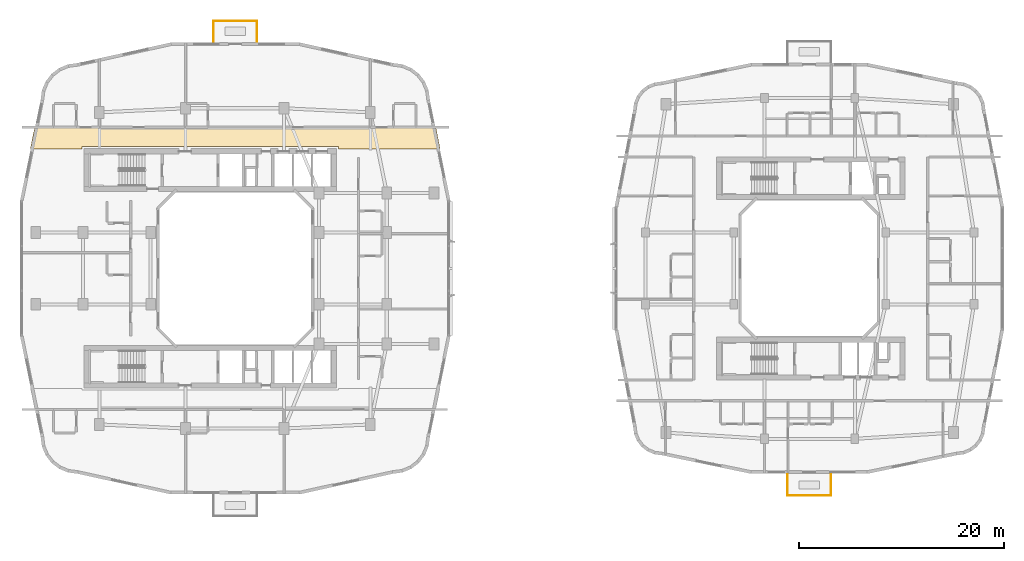
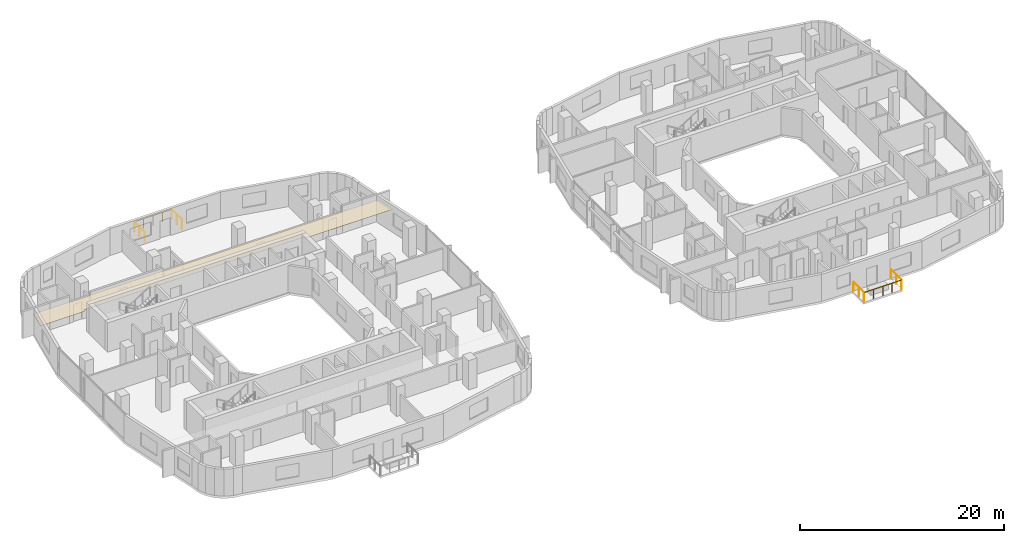
# One storey, part 21 of 22: 6 railings, 1 covering.
"""IFC4 building model written with IfcOpenShell, lengths in metres."""

import ifcopenshell
import ifcopenshell.guid

model = None  # the IFC model being written
_history = None  # IfcOwnerHistory: only IFC2X3 demands one
_inside = {}  # id of a spatial element -> (the spatial element, [elements in it])
_under = {}  # id of a project, library or spatial element -> (it, [spatial elements below it])
_declared = {}  # id of a project -> (the project, [libraries it declares])
_typed = {}  # id of a type object -> (the type object, [elements of that type])
_made_of = {}  # id of a material, layer set ... -> (it, [elements and type objects made of it])


def new_model(schema):
    """Start an empty IFC model of exactly this schema.

    Asked for "IFC4X3", IfcOpenShell would pick the latest addendum, in which some entities
    have other attributes; the version numbers below select the first issue.
    IFC2X3 requires an IfcOwnerHistory on every rooted entity: one is made here for all.
    """
    global model, _history
    if schema == "IFC4X3":
        model = ifcopenshell.file(schema_version=(4, 3, 0, 0))
    else:
        model = ifcopenshell.file(schema=schema)
    _inside.clear()
    _under.clear()
    _declared.clear()
    _typed.clear()
    _made_of.clear()
    _history = None
    if model.schema == "IFC2X3":
        org = make("IfcOrganization", Name="unknown")
        user = make(
            "IfcPersonAndOrganization",
            ThePerson=make("IfcPerson", FamilyName="unknown"),
            TheOrganization=org,
        )
        app = make(
            "IfcApplication",
            ApplicationDeveloper=org,
            Version="unknown",
            ApplicationFullName="unknown",
            ApplicationIdentifier="unknown",
        )
        _history = make(
            "IfcOwnerHistory",
            OwningUser=user,
            OwningApplication=app,
            ChangeAction="ADDED",
            CreationDate=0,
        )
    return model


def make(cls, **values):
    """One entity of the class cls with the attributes given. An attribute that is None is left unset."""
    return model.create_entity(
        cls, **{name: value for name, value in values.items() if value is not None}
    )


def rooted(cls, **values):
    """An entity with a GlobalId (a new one), such as an element, a storey or a relation."""
    return make(cls, GlobalId=ifcopenshell.guid.new(), OwnerHistory=_history, **values)


def si_unit(unit_type, name, prefix=None):
    """IfcSIUnit, for example si_unit("LENGTHUNIT", "METRE", prefix="MILLI")."""
    return make("IfcSIUnit", UnitType=unit_type, Prefix=prefix, Name=name)


def derived_unit(unit_type, elements):
    """IfcDerivedUnit: a product of units, each with its exponent."""
    return make(
        "IfcDerivedUnit",
        Elements=[
            make("IfcDerivedUnitElement", Unit=unit, Exponent=power)
            for unit, power in elements
        ],
        UnitType=unit_type,
    )


def assignment(units):
    """IfcUnitAssignment: the units of a project."""
    return None if units is None else make("IfcUnitAssignment", Units=units)


def point(xyz):
    """IfcCartesianPoint."""
    return None if xyz is None else make("IfcCartesianPoint", Coordinates=xyz)


def direction(xyz):
    """IfcDirection."""
    return None if xyz is None else make("IfcDirection", DirectionRatios=xyz)


def frame(location, z_axis=None, x_axis=None):
    """IfcAxis2Placement3D, a coordinate frame: its origin and axes. An axis left out is left unset."""
    return make(
        "IfcAxis2Placement3D",
        Location=point(location),
        Axis=direction(z_axis),
        RefDirection=direction(x_axis),
    )


def frame_2d(location, x_axis=None):
    """IfcAxis2Placement2D, a coordinate frame in the plane: its origin and x axis."""
    return make(
        "IfcAxis2Placement2D", Location=point(location), RefDirection=direction(x_axis)
    )


def origin():
    """The frame at (0, 0, 0) with its axes left unset."""
    return frame((0.0, 0.0, 0.0))


def origin_2d():
    """The frame at (0, 0) in the plane with its x axis left unset."""
    return frame_2d((0.0, 0.0))


def place(relative_to, where):
    """IfcLocalPlacement: puts the frame where relative to a parent placement (None: the world)."""
    return make(
        "IfcLocalPlacement", PlacementRelTo=relative_to, RelativePlacement=where
    )


def context(
    kind, dimensions, precision=None, world=None, true_north=None, identifier=None
):
    """IfcGeometricRepresentationContext, for example the 3D "Model" context."""
    return make(
        "IfcGeometricRepresentationContext",
        ContextIdentifier=identifier,
        ContextType=kind,
        CoordinateSpaceDimension=dimensions,
        Precision=precision,
        WorldCoordinateSystem=world,
        TrueNorth=true_north,
    )


def subcontext(parent, identifier, kind, view, scale=None):
    """IfcGeometricRepresentationSubContext, for example "Body" below "Model"."""
    return make(
        "IfcGeometricRepresentationSubContext",
        ContextIdentifier=identifier,
        ContextType=kind,
        ParentContext=parent,
        TargetScale=scale,
        TargetView=view,
    )


def project(units=None, contexts=None):
    """IfcProject with its units and contexts."""
    return rooted(
        "IfcProject",
        Name="project",
        RepresentationContexts=contexts,
        UnitsInContext=assignment(units),
    )


def spatial(cls, under=None, at=None, **own):
    """A site, building, storey or space (cls), placed at a placement, below another one or the project."""
    s = rooted(cls, ObjectPlacement=at, **own)
    if under is not None:
        _under.setdefault(under.id(), (under, []))[1].append(s)
    return s


def polyline(points):
    """IfcPolyline through the points."""
    return make("IfcPolyline", Points=[point(p) for p in points])


def profile(cls, at=None, kind="AREA", **sizes):
    """A parametric profile (cls). Its sizes go by their IFC names, for example OverallWidth=200.0."""
    return make(cls, ProfileType=kind, Position=at, **sizes)


def circle(**sizes):
    """IfcCircleProfileDef."""
    return profile("IfcCircleProfileDef", **sizes)


def outline(outer, holes=None, kind="AREA"):
    """IfcArbitraryClosedProfileDef: a profile drawn as a closed curve; with holes, ...WithVoids."""
    if holes is None:
        return make("IfcArbitraryClosedProfileDef", ProfileType=kind, OuterCurve=outer)
    return make(
        "IfcArbitraryProfileDefWithVoids",
        ProfileType=kind,
        OuterCurve=outer,
        InnerCurves=holes,
    )


def extrude(swept, where, along, depth):
    """IfcExtrudedAreaSolid: the profile swept, set in the frame where, extruded along a direction by depth."""
    return make(
        "IfcExtrudedAreaSolid",
        SweptArea=swept,
        Position=where,
        ExtrudedDirection=direction(along),
        Depth=depth,
    )


def shape(context_of_items, identifier, shape_type, items):
    """IfcShapeRepresentation: the items that make up one representation, for example the "Body"."""
    return make(
        "IfcShapeRepresentation",
        ContextOfItems=context_of_items,
        RepresentationIdentifier=identifier,
        RepresentationType=shape_type,
        Items=items,
    )


def material(Name=None, Category=None):
    """IfcMaterial."""
    return make("IfcMaterial", Name=Name, Category=Category)


def layer(
    of_material, thickness, ventilated=None, Name=None, Category=None, Priority=None
):
    """IfcMaterialLayer: one layer of a wall or slab, of a material (None: an air gap)."""
    return make(
        "IfcMaterialLayer",
        Material=of_material,
        LayerThickness=thickness,
        IsVentilated=ventilated,
        Name=Name,
        Category=Category,
        Priority=Priority,
    )


def layer_set(layers, Name=None):
    """IfcMaterialLayerSet."""
    return make("IfcMaterialLayerSet", MaterialLayers=layers, LayerSetName=Name)


def made_of(thing, what):
    """Note that an element or type object is made of a material, layer set ...; save() writes the relation."""
    if what is not None:
        _made_of.setdefault(what.id(), (what, []))[1].append(thing)
    return thing


def type_object(cls, material=None, **own):
    """A type object (cls), such as IfcWallType, which elements share."""
    return made_of(rooted(cls, **own), material)


def element(
    cls,
    number,
    at=None,
    inside=None,
    cuts=None,
    type_object=None,
    material=None,
    context=None,
    identifier="Body",
    shape_type=None,
    held_by="IfcProductDefinitionShape",
    body=None,
    shapes=None,
    **own,
):
    """One element of the class cls, such as IfcWall. Its Tag is "e" and its number.

    at: its placement. inside: the storey or other place that contains it. cuts: it is an
    opening in that element (IfcRelVoidsElement). A single representation is given by context,
    identifier, shape_type and body (its items); several are given by shapes. held_by: the class
    of the entity that holds the representations. save() writes the other relations.
    """
    e = rooted(cls, Tag="e%d" % number, ObjectPlacement=at, **own)
    if body is not None:
        shapes = [shape(context, identifier, shape_type, body)]
    if shapes is not None:
        e.Representation = make(held_by, Representations=shapes)
    if inside is not None:
        _inside.setdefault(inside.id(), (inside, []))[1].append(e)
    if cuts is not None:
        rooted(
            "IfcRelVoidsElement", RelatingBuildingElement=cuts, RelatedOpeningElement=e
        )
    if type_object is not None:
        _typed.setdefault(type_object.id(), (type_object, []))[1].append(e)
    return made_of(e, material)


def aggregate(whole, parts):
    """IfcRelAggregates: a whole, such as a stair, and the parts it consists of."""
    return rooted("IfcRelAggregates", RelatingObject=whole, RelatedObjects=parts)


def save(model, path):
    """Write the relations noted so far, then the file.

    IfcRelAggregates (storeys below a building ...), IfcRelContainedInSpatialStructure (elements
    in a storey), IfcRelDefinesByType, IfcRelAssociatesMaterial and IfcRelDeclares: one each for
    every whole, place, type object, material and project.
    """
    for whole, parts in _under.values():
        aggregate(whole, parts)
    for where, things in _inside.values():
        rooted(
            "IfcRelContainedInSpatialStructure",
            RelatedElements=things,
            RelatingStructure=where,
        )
    for kind, things in _typed.values():
        rooted("IfcRelDefinesByType", RelatedObjects=things, RelatingType=kind)
    for what, things in _made_of.values():
        rooted("IfcRelAssociatesMaterial", RelatedObjects=things, RelatingMaterial=what)
    for by, libraries in _declared.values():
        rooted("IfcRelDeclares", RelatingContext=by, RelatedDefinitions=libraries)
    model.write(path)


model = new_model("IFC4")

# Units and contexts
model_context = context("Model", 3, precision=1e-05, world=origin(), true_north=direction((0.0, 1.0)))
body_context = subcontext(model_context, "Body", "Model", "MODEL_VIEW")
ifc_project = project(units=[si_unit("LENGTHUNIT", "METRE"), si_unit("AREAUNIT", "SQUARE_METRE"), si_unit("VOLUMEUNIT", "CUBIC_METRE"), si_unit("PLANEANGLEUNIT", "RADIAN"), si_unit("MASSUNIT", "GRAM", prefix="KILO"), derived_unit("THERMALTRANSMITTANCEUNIT", [(si_unit("POWERUNIT", "WATT"), 1), (si_unit("LENGTHUNIT", "METRE"), -2), (si_unit("THERMODYNAMICTEMPERATUREUNIT", "KELVIN"), -1)])], contexts=[model_context])

# Site, building, storey
site_placement = place(None, origin())
site = spatial("IfcSite", under=ifc_project, at=site_placement, CompositionType="ELEMENT")
building_placement = place(site_placement, origin())
building = spatial("IfcBuilding", under=site, at=building_placement, Name="Kivonza Crest Hotel", CompositionType="ELEMENT")
storey_placement = place(building_placement, frame((0.0, 0.0, 69.5)))
storey = spatial("IfcBuildingStorey", under=building, at=storey_placement, Name="L18", CompositionType="ELEMENT", Elevation=69.5)

# Covering
ifc_material_1 = material(Name="Mineral-fibre acoustic ceiling tile", Category="gypsum")
ifc_layer = layer(ifc_material_1, 0.02490234375)
ifc_layer_set = layer_set([ifc_layer], Name="Mineral-fibre acoustic ceiling tile")
covering_type = type_object("IfcCoveringType", Name="CV-CEIL-ACOU", PredefinedType="CEILING", material=ifc_layer_set)
covering_placement = place(storey_placement, frame((0.0, 0.0, 2.449951171875)))
element("IfcCovering", 1, at=covering_placement, inside=storey, type_object=covering_type, Name="L18 Hotel North Guest Corridor suspended ceiling", PredefinedType="CEILING", context=body_context, shape_type="SweptSolid", body=[
    extrude(outline(polyline([(1.506103515625, 38.7900390625), (1.06396484375, 36.6201171875), (6.10009765625, 36.6201171875), (6.10009765625, 36.860107421875), (31.10009765625, 36.860107421875), (31.10009765625, 36.6201171875), (41.01611328125, 36.6201171875), (40.573974609375, 38.7900390625), (1.506103515625, 38.7900390625)])), origin(), (0.0, 0.0, 1.0), 0.025146484375),
])

# Railings
ifc_material_2 = material(Name="Laminated glass and stainless steel balustrade", Category="steel")
railing_type = type_object("IfcRailingType", Name="RL-TERR-1150", PredefinedType="BALUSTRADE", material=ifc_material_2)
railing_1_placement = place(storey_placement, frame((18.919921875, 47.080078125, 0.0)))
element("IfcRailing", 2, at=railing_1_placement, inside=storey, type_object=railing_type, Name="L18 T1-L18-SG-NE perimeter safety balustrade 1", PredefinedType="BALUSTRADE", context=body_context, shape_type="SweptSolid", body=[
    extrude(circle(Radius=0.02392578125, at=origin_2d()), frame((0.0, 0.0, 1.1259765625), z_axis=(0.0, 1.0, 0.0), x_axis=(-1.0, 0.0, 0.0)), (0.0, 0.0, 1.0), 2.0400390625),
    extrude(circle(Radius=0.02099609375, at=origin_2d()), origin(), (0.0, 0.0, 1.0), 1.101806640625),
    extrude(circle(Radius=0.02099609375, at=origin_2d()), frame((0.0, 1.02001953125, 0.0)), (0.0, 0.0, 1.0), 1.101806640625),
    extrude(circle(Radius=0.02099609375, at=origin_2d()), frame((0.0, 2.0400390625, 0.0)), (0.0, 0.0, 1.0), 1.101806640625),
])
railing_2_placement = place(storey_placement, frame((18.919921875, 49.1201171875, 0.0)))
element("IfcRailing", 3, at=railing_2_placement, inside=storey, type_object=railing_type, Name="L18 T1-L18-SG-NE perimeter safety balustrade 2", PredefinedType="BALUSTRADE", context=body_context, shape_type="SweptSolid", body=[
    extrude(circle(Radius=0.02392578125, at=origin_2d()), frame((0.0, 0.0, 1.1259765625), z_axis=(1.0, 0.0, 0.0), x_axis=(0.0, 1.0, 0.0)), (0.0, 0.0, 1.0), 4.239990234375),
    extrude(circle(Radius=0.02099609375, at=origin_2d()), origin(), (0.0, 0.0, 1.0), 1.101806640625),
    extrude(circle(Radius=0.02099609375, at=origin_2d()), frame((1.06005859375, 0.0, 0.0)), (0.0, 0.0, 1.0), 1.101806640625),
    extrude(circle(Radius=0.02099609375, at=origin_2d()), frame((2.1201171875, 0.0, 0.0)), (0.0, 0.0, 1.0), 1.101806640625),
    extrude(circle(Radius=0.02099609375, at=origin_2d()), frame((3.179931640625, 0.0, 0.0)), (0.0, 0.0, 1.0), 1.101806640625),
    extrude(circle(Radius=0.02099609375, at=origin_2d()), frame((4.239990234375, 0.0, 0.0)), (0.0, 0.0, 1.0), 1.101806640625),
])
railing_3_placement = place(storey_placement, frame((23.159912109375, 49.1201171875, 0.0)))
element("IfcRailing", 4, at=railing_3_placement, inside=storey, type_object=railing_type, Name="L18 T1-L18-SG-NE perimeter safety balustrade 3", PredefinedType="BALUSTRADE", context=body_context, shape_type="SweptSolid", body=[
    extrude(circle(Radius=0.02392578125, at=origin_2d()), frame((0.0, 0.0, 1.1259765625), z_axis=(0.0, -1.0, 0.0), x_axis=(1.0, 0.0, 0.0)), (0.0, 0.0, 1.0), 2.0400390625),
    extrude(circle(Radius=0.02099609375, at=origin_2d()), origin(), (0.0, 0.0, 1.0), 1.101806640625),
    extrude(circle(Radius=0.02099609375, at=origin_2d()), frame((0.0, -1.02001953125, 0.0)), (0.0, 0.0, 1.0), 1.101806640625),
    extrude(circle(Radius=0.02099609375, at=origin_2d()), frame((0.0, -2.0400390625, 0.0)), (0.0, 0.0, 1.0), 1.101806640625),
])
railing_4_placement = place(storey_placement, frame((74.840087890625, 2.8798828125, 0.0)))
element("IfcRailing", 5, at=railing_4_placement, inside=storey, type_object=railing_type, Name="L18 T2-L18-SG-SW perimeter safety balustrade 1", PredefinedType="BALUSTRADE", context=body_context, shape_type="SweptSolid", body=[
    extrude(circle(Radius=0.02392578125, at=origin_2d()), frame((0.0, 0.0, 1.1259765625), z_axis=(0.0, 1.0, 0.0), x_axis=(-1.0, 0.0, 0.0)), (0.0, 0.0, 1.0), 2.0400390625),
    extrude(circle(Radius=0.02099609375, at=origin_2d()), origin(), (0.0, 0.0, 1.0), 1.101806640625),
    extrude(circle(Radius=0.02099609375, at=origin_2d()), frame((0.0, 1.02001953125, 0.0)), (0.0, 0.0, 1.0), 1.101806640625),
    extrude(circle(Radius=0.02099609375, at=origin_2d()), frame((0.0, 2.0400390625, 0.0)), (0.0, 0.0, 1.0), 1.101806640625),
])
railing_5_placement = place(storey_placement, frame((79.080078125, 4.919921875, 0.0)))
element("IfcRailing", 6, at=railing_5_placement, inside=storey, type_object=railing_type, Name="L18 T2-L18-SG-SW perimeter safety balustrade 2", PredefinedType="BALUSTRADE", context=body_context, shape_type="SweptSolid", body=[
    extrude(circle(Radius=0.02392578125, at=origin_2d()), frame((0.0, 0.0, 1.1259765625), z_axis=(0.0, -1.0, 0.0), x_axis=(1.0, 0.0, 0.0)), (0.0, 0.0, 1.0), 2.0400390625),
    extrude(circle(Radius=0.02099609375, at=origin_2d()), origin(), (0.0, 0.0, 1.0), 1.101806640625),
    extrude(circle(Radius=0.02099609375, at=origin_2d()), frame((0.0, -1.02001953125, 0.0)), (0.0, 0.0, 1.0), 1.101806640625),
    extrude(circle(Radius=0.02099609375, at=origin_2d()), frame((0.0, -2.0400390625, 0.0)), (0.0, 0.0, 1.0), 1.101806640625),
])
railing_6_placement = place(storey_placement, frame((79.080078125, 2.8798828125, 0.0)))
element("IfcRailing", 7, at=railing_6_placement, inside=storey, type_object=railing_type, Name="L18 T2-L18-SG-SW perimeter safety balustrade 3", PredefinedType="BALUSTRADE", context=body_context, shape_type="SweptSolid", body=[
    extrude(circle(Radius=0.02392578125, at=origin_2d()), frame((0.0, 0.0, 1.1259765625), z_axis=(-1.0, 0.0, 0.0), x_axis=(0.0, -1.0, 0.0)), (0.0, 0.0, 1.0), 4.239990234375),
    extrude(circle(Radius=0.02099609375, at=origin_2d()), origin(), (0.0, 0.0, 1.0), 1.101806640625),
    extrude(circle(Radius=0.02099609375, at=origin_2d()), frame((-1.06005859375, 0.0, 0.0)), (0.0, 0.0, 1.0), 1.101806640625),
    extrude(circle(Radius=0.02099609375, at=origin_2d()), frame((-2.1201171875, 0.0, 0.0)), (0.0, 0.0, 1.0), 1.101806640625),
    extrude(circle(Radius=0.02099609375, at=origin_2d()), frame((-3.179931640625, 0.0, 0.0)), (0.0, 0.0, 1.0), 1.101806640625),
    extrude(circle(Radius=0.02099609375, at=origin_2d()), frame((-4.239990234375, 0.0, 0.0)), (0.0, 0.0, 1.0), 1.101806640625),
])

save(model, "model.ifc")
